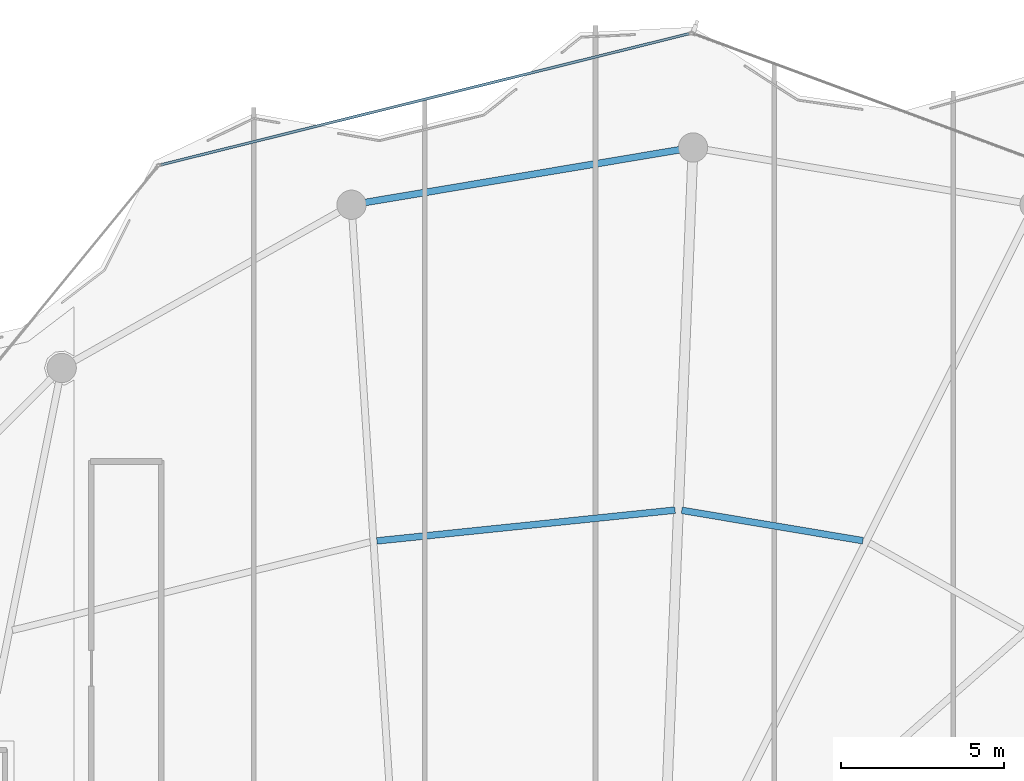
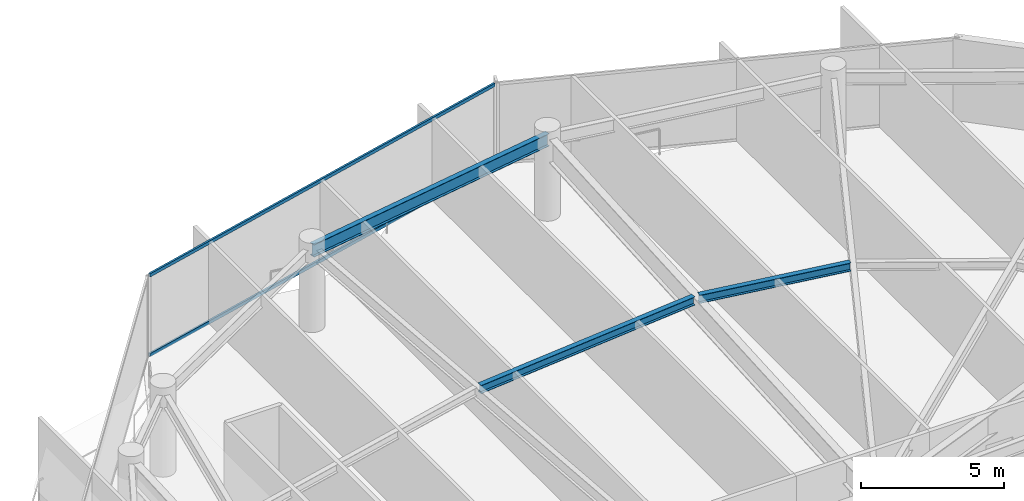
# One storey, part 20 of 29: 3 beams, 2 members, 1 element without a shape of its own.
"""IFC4 building model written with IfcOpenShell, lengths in metres."""

from ifc_helpers import new_model, si_unit, direction, frame, origin, origin_2d, place, context, subcontext, project, spatial, hollow_rectangle, i_section, extrude, material, layer, layer_set, material_profile, profile_set, type_object, element, aggregate, save


model = new_model("IFC4")

# Units and contexts
model_context = context("Model", 3, precision=1e-05, world=origin(), true_north=direction((0.0, 1.0)))
body_context = subcontext(model_context, "Body", "Model", "MODEL_VIEW")
ifc_project = project(units=[si_unit("LENGTHUNIT", "METRE"), si_unit("AREAUNIT", "SQUARE_METRE"), si_unit("VOLUMEUNIT", "CUBIC_METRE"), si_unit("PLANEANGLEUNIT", "RADIAN"), si_unit("MASSUNIT", "GRAM", prefix="KILO")], contexts=[model_context])

# Site, building, storey
site_placement = place(None, origin())
site = spatial("IfcSite", under=ifc_project, at=site_placement, CompositionType="ELEMENT")
building_placement = place(site_placement, origin())
building = spatial("IfcBuilding", under=site, at=building_placement, Name="Kazevale Care Tower and Concert Hall", CompositionType="ELEMENT")
storey_placement = place(building_placement, frame((0.0, 0.0, 289.0)))
storey = spatial("IfcBuildingStorey", under=building, at=storey_placement, Name="L76", CompositionType="ELEMENT", Elevation=289.0)

# Curtain wall, members
ifc_material_1 = material(Name="Aluminium 6063-T6 and Low-E Glass", Category="aluminium")
ifc_layer = layer(ifc_material_1, 0.179931640625)
ifc_layer_set = layer_set([ifc_layer], Name="Aluminium 6063-T6 and Low-E Glass")
curtain_wall_type = type_object("IfcCurtainWallType", Name="Waist & Upper Residential Curtain Wall CW-4", PredefinedType="NOTDEFINED", material=ifc_layer_set)
curtain_wall_placement = place(storey_placement, origin())
curtain_wall = element("IfcCurtainWall", 1, at=curtain_wall_placement, inside=storey, type_object=curtain_wall_type, Name="cw:L76:f15", PredefinedType="NOTDEFINED")
ifc_material_2 = material(Name="Aluminium 6063-T6", Category="aluminium")
ifc_material_profile_1 = material_profile(ifc_material_2, hollow_rectangle(XDim=0.080078125, YDim=0.139892578125, WallThickness=0.00390625, at=origin_2d()), Name="ALU80x140x4")
ifc_profile_set_1 = profile_set([ifc_material_profile_1], Name="Aluminium 6063-T6")
member_type = type_object("IfcMemberType", Name="CW-4 Transom ALU80x140x4", PredefinedType="USERDEFINED", material=ifc_profile_set_1)
member_1_placement = place(storey_placement, frame((28.638671875, 60.6181640625, 0.0400390625), z_axis=(0.970550647027, 0.240897159709, 0.0), x_axis=(-0.240897159709, 0.970550647027, 0.0)))
member_1 = element("IfcMember", 2, at=member_1_placement, type_object=member_type, Name="CW-4 transom 1.1", ObjectType="TRANSOM", PredefinedType="USERDEFINED", context=body_context, shape_type="SweptSolid", body=[
    extrude(hollow_rectangle(XDim=0.080078125, YDim=0.139892578125, WallThickness=0.00390625, at=origin_2d()), origin(), (0.0, 0.0, 1.0), 16.727294921875),
])
member_2_placement = place(storey_placement, frame((28.638671875, 60.6181640625, 3.43994140625), z_axis=(0.970550647027, 0.240897159709, 0.0), x_axis=(-0.240897159709, 0.970550647027, 0.0)))
member_2 = element("IfcMember", 3, at=member_2_placement, type_object=member_type, Name="CW-4 transom 1.2", ObjectType="TRANSOM", PredefinedType="USERDEFINED", context=body_context, shape_type="SweptSolid", body=[
    extrude(hollow_rectangle(XDim=0.080078125, YDim=0.139892578125, WallThickness=0.00390625, at=origin_2d()), origin(), (0.0, 0.0, 1.0), 16.727294921875),
])
aggregate(curtain_wall, [member_1, member_2])

# Beams
ifc_material_3 = material(Name="Steel ASTM A572 Gr 50", Category="steel")
ifc_material_profile_2 = material_profile(ifc_material_3, i_section(OverallWidth=0.205078125, OverallDepth=0.35400390625, WebThickness=0.009521484375, FlangeThickness=0.016845703125, at=origin_2d()), Name="W360x79")
ifc_profile_set_2 = profile_set([ifc_material_profile_2], Name="Steel ASTM A572 Gr 50")
beam_type_1 = type_object("IfcBeamType", Name="Secondary Floor Joist W360x79", PredefinedType="JOIST", material=ifc_profile_set_2)
beam_1_placement = place(storey_placement, frame((50.220947265625, 49.06201171875, 3.302978515625), z_axis=(-0.986241534462, 0.165310724705, 0.0), x_axis=(-0.165310724705, -0.986241534462, 0.0)))
element("IfcBeam", 4, at=beam_1_placement, inside=storey, type_object=beam_type_1, Name="beam:L76:joist:04", PredefinedType="JOIST", context=body_context, shape_type="SweptSolid", body=[
    extrude(i_section(OverallWidth=0.205078125, OverallDepth=0.35400390625, WebThickness=0.009521484375, FlangeThickness=0.016845703125, at=origin_2d()), origin(), (0.0, 0.0, 1.0), 5.64453125),
])
beam_2_placement = place(storey_placement, frame((44.446044921875, 50.001953125, 3.302978515625), z_axis=(-0.994706089671, -0.10276086401, 0.0), x_axis=(0.10276086401, -0.994706089671, 0.0)))
element("IfcBeam", 5, at=beam_2_placement, inside=storey, type_object=beam_type_1, Name="beam:L76:joist:05", PredefinedType="JOIST", context=body_context, shape_type="SweptSolid", body=[
    extrude(i_section(OverallWidth=0.205078125, OverallDepth=0.35400390625, WebThickness=0.009521484375, FlangeThickness=0.016845703125, at=origin_2d()), origin(), (0.0, 0.0, 1.0), 9.2158203125),
])
ifc_material_profile_3 = material_profile(ifc_material_3, i_section(OverallWidth=0.208984375, OverallDepth=0.532958984375, WebThickness=0.01025390625, FlangeThickness=0.015625, at=origin_2d()), Name="W530x92")
ifc_profile_set_3 = profile_set([ifc_material_profile_3], Name="Steel ASTM A572 Gr 50")
beam_type_2 = type_object("IfcBeamType", Name="Upper Ring Beam W530x92", PredefinedType="BEAM", material=ifc_profile_set_3)
beam_3_placement = place(storey_placement, frame((45.0, 61.14990234375, 3.21337890625), z_axis=(-0.986241035683, -0.165313700387, 0.0), x_axis=(0.165313700387, -0.986241035683, 0.0)))
element("IfcBeam", 6, at=beam_3_placement, inside=storey, type_object=beam_type_2, Name="beam:L76:ring:05", PredefinedType="BEAM", context=body_context, shape_type="SweptSolid", body=[
    extrude(i_section(OverallWidth=0.208984375, OverallDepth=0.532958984375, WebThickness=0.01025390625, FlangeThickness=0.015625, at=origin_2d()), origin(), (0.0, 0.0, 1.0), 10.646484375),
])

save(model, "model.ifc")
